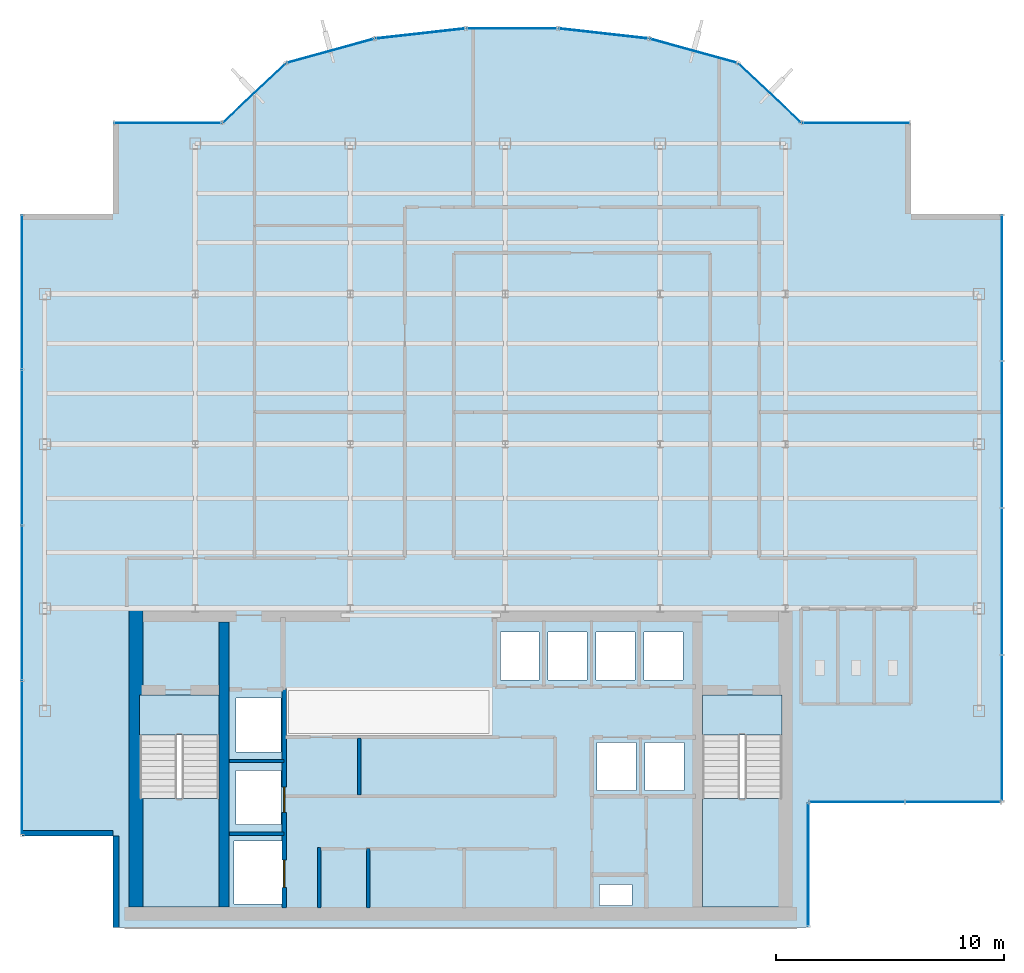
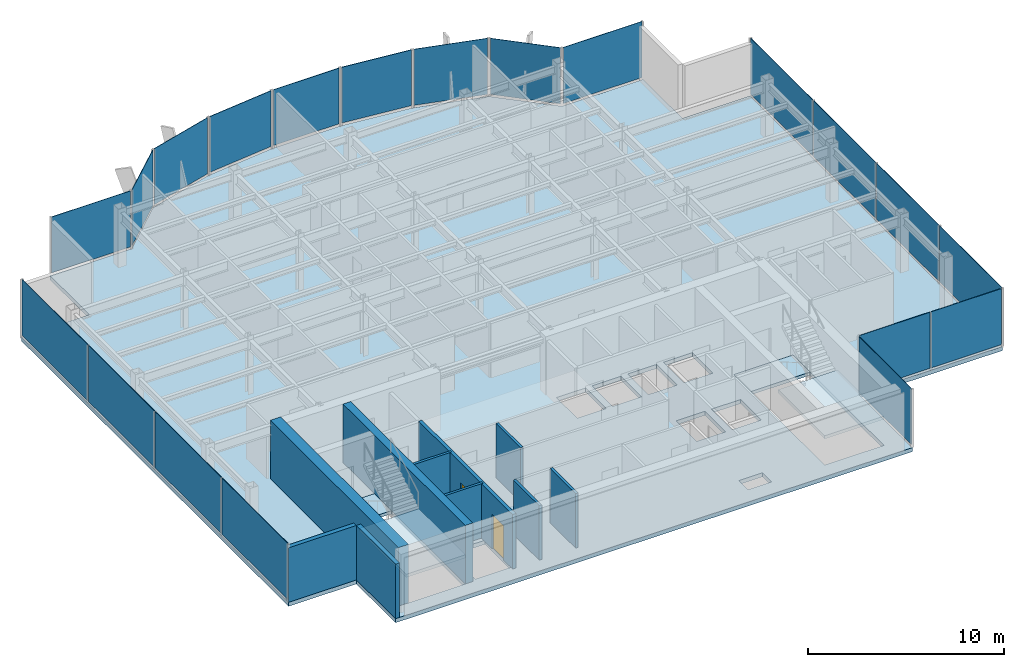
# One storey, part 16 of 22: 20 plates, 10 walls, 5 slabs, 2 doors, 2 openings, 15 elements without a shape of their own.
"""IFC4 building model written with IfcOpenShell, lengths in metres."""

from ifc_helpers import new_model, si_unit, derived_unit, direction, frame, frame_2d, origin, origin_2d, place, context, subcontext, project, spatial, polyline, rectangle, outline, extrude, source, transform, mapped, material, layer, layer_set, type_object, element, fill, aggregate, save


model = new_model("IFC4")

# Units and contexts
model_context = context("Model", 3, precision=1e-05, world=origin(), true_north=direction((0.0, 1.0)))
body_context = subcontext(model_context, "Body", "Model", "MODEL_VIEW")
ifc_project = project(units=[si_unit("LENGTHUNIT", "METRE"), si_unit("AREAUNIT", "SQUARE_METRE"), si_unit("VOLUMEUNIT", "CUBIC_METRE"), si_unit("PLANEANGLEUNIT", "RADIAN"), si_unit("MASSUNIT", "GRAM", prefix="KILO"), derived_unit("THERMALTRANSMITTANCEUNIT", [(si_unit("POWERUNIT", "WATT"), 1), (si_unit("LENGTHUNIT", "METRE"), -2), (si_unit("THERMODYNAMICTEMPERATUREUNIT", "KELVIN"), -1)])], contexts=[model_context])

# Site, building, storey
site_placement = place(None, origin())
site = spatial("IfcSite", under=ifc_project, at=site_placement, CompositionType="ELEMENT")
building_placement = place(site_placement, origin())
building = spatial("IfcBuilding", under=site, at=building_placement, Name="Skarnbrae Concourse Arena and Tower", CompositionType="ELEMENT")
storey_placement = place(building_placement, frame((0.0, 0.0, 269.75)))
storey = spatial("IfcBuildingStorey", under=building, at=storey_placement, Name="L70", CompositionType="ELEMENT", Elevation=269.75)

# Stair, slab
ifc_material_1 = material(Name="Concrete 40 MPa (C40/50)", Category="concrete")
stair_type = type_object("IfcStairType", Name="STAIR-DOGLEG-1650", PredefinedType="HALF_TURN_STAIR", material=ifc_material_1)
stair_1_placement = place(storey_placement, origin())
stair_1 = element("IfcStair", 1, at=stair_1_placement, inside=storey, type_object=stair_type, Name="L70 Protected Exit Stair ST-1", PredefinedType="HALF_TURN_STAIR")
ifc_layer_1 = layer(ifc_material_1, 0.199951171875)
ifc_layer_set_1 = layer_set([ifc_layer_1], Name="Concrete 40 MPa (C40/50)")
slab_type_1 = type_object("IfcSlabType", Name="SLAB-LANDING-200", PredefinedType="LANDING", material=ifc_layer_set_1)
slab_1_placement = place(storey_placement, frame((0.0, 0.0, 1.625)))
slab_1 = element("IfcSlab", 2, at=slab_1_placement, type_object=slab_type_1, Name="ST-1 landing 1", PredefinedType="LANDING", context=body_context, shape_type="SweptSolid", body=[
    extrude(outline(polyline([(5.14990234375, 5.64990234375), (5.14990234375, 0.89990234375), (8.64990234375, 0.89990234375), (8.64990234375, 5.64990234375), (5.14990234375, 5.64990234375)])), origin(), (0.0, 0.0, 1.0), 0.199951171875),
])
aggregate(stair_1, [slab_1])

stair_2_placement = place(storey_placement, origin())
stair_2 = element("IfcStair", 3, at=stair_2_placement, inside=storey, type_object=stair_type, Name="L70 Protected Exit Stair ST-2", PredefinedType="HALF_TURN_STAIR")
slab_2_placement = place(storey_placement, frame((0.0, 0.0, 1.625)))
slab_2 = element("IfcSlab", 4, at=slab_2_placement, type_object=slab_type_1, Name="ST-2 landing 1", PredefinedType="LANDING", context=body_context, shape_type="SweptSolid", body=[
    extrude(outline(polyline([(29.85009765625, 5.64990234375), (29.85009765625, 0.89990234375), (33.35009765625, 0.89990234375), (33.35009765625, 5.64990234375), (29.85009765625, 5.64990234375)])), origin(), (0.0, 0.0, 1.0), 0.199951171875),
])
aggregate(stair_2, [slab_2])

# Slabs
slab_3_placement = place(storey_placement, frame((0.0, 0.0, -0.199951171875)))
element("IfcSlab", 5, at=slab_3_placement, inside=storey, type_object=slab_type_1, Name="L70 Core stair ST1 floor landing", PredefinedType="LANDING", context=body_context, shape_type="SweptSolid", body=[
    extrude(outline(polyline([(5.14990234375, 10.199951171875), (5.14990234375, 8.449951171875), (8.64990234375, 8.449951171875), (8.64990234375, 10.199951171875), (5.14990234375, 10.199951171875)])), origin(), (0.0, 0.0, 1.0), 0.199951171875),
])
slab_4_placement = place(storey_placement, frame((0.0, 0.0, -0.199951171875)))
element("IfcSlab", 6, at=slab_4_placement, inside=storey, type_object=slab_type_1, Name="L70 Core stair ST2 floor landing", PredefinedType="LANDING", context=body_context, shape_type="SweptSolid", body=[
    extrude(outline(polyline([(29.85009765625, 10.199951171875), (29.85009765625, 8.449951171875), (33.35009765625, 8.449951171875), (33.35009765625, 10.199951171875), (29.85009765625, 10.199951171875)])), origin(), (0.0, 0.0, 1.0), 0.199951171875),
])
ifc_layer_2 = layer(ifc_material_1, 0.25)
ifc_layer_set_2 = layer_set([ifc_layer_2], Name="Concrete 40 MPa (C40/50)")
slab_type_2 = type_object("IfcSlabType", Name="SLAB-TOWER-250", PredefinedType="FLOOR", material=ifc_layer_set_2)
slab_5_placement = place(storey_placement, frame((0.0, 0.0, -0.25)))
element("IfcSlab", 7, at=slab_5_placement, inside=storey, type_object=slab_type_2, Name="L70 Structural floor slab", PredefinedType="FLOOR", context=body_context, shape_type="SweptSolid", body=[
    extrude(outline(polyline([(4.0, 0.0), (34.5, 0.0), (34.5, 5.5), (43.0, 5.5), (43.0, 31.300048828125), (39.0, 31.300048828125), (39.0, 35.300048828125), (34.199951171875, 35.300048828125), (31.40966796875, 37.9267578125), (27.52587890625, 38.9970703125), (23.51708984375, 39.44677734375), (19.48291015625, 39.44677734375), (15.47412109375, 38.9970703125), (11.59033203125, 37.9267578125), (8.800048828125, 35.300048828125), (4.0, 35.300048828125), (4.0, 31.300048828125), (0.0, 31.300048828125), (0.0, 4.0), (4.0, 4.0), (4.0, 0.0)]), holes=[polyline([(9.294921875, 1.02001953125), (9.294921875, 3.780029296875), (11.455078125, 3.780029296875), (11.455078125, 1.02001953125), (9.294921875, 1.02001953125)]), polyline([(8.64990234375, 10.199951171875), (8.64990234375, 0.89990234375), (5.14990234375, 0.89990234375), (5.14990234375, 10.199951171875), (8.64990234375, 10.199951171875)]), polyline([(9.39501953125, 6.8798828125), (11.35498046875, 6.8798828125), (11.35498046875, 4.52001953125), (9.39501953125, 4.52001953125), (9.39501953125, 6.8798828125)]), polyline([(9.39501953125, 7.695068359375), (9.39501953125, 10.054931640625), (11.35498046875, 10.054931640625), (11.35498046875, 7.695068359375), (9.39501953125, 7.695068359375)]), polyline([(20.985107421875, 12.955078125), (22.695068359375, 12.955078125), (22.695068359375, 10.844970703125), (20.985107421875, 10.844970703125), (20.985107421875, 12.955078125)]), polyline([(23.0849609375, 12.955078125), (24.794921875, 12.955078125), (24.794921875, 10.844970703125), (23.0849609375, 10.844970703125), (23.0849609375, 12.955078125)]), polyline([(25.35009765625, 0.949951171875), (25.35009765625, 1.889892578125), (26.760009765625, 1.889892578125), (26.760009765625, 0.949951171875), (25.35009765625, 0.949951171875)]), polyline([(33.35009765625, 10.199951171875), (33.35009765625, 0.89990234375), (29.85009765625, 0.89990234375), (29.85009765625, 10.199951171875), (33.35009765625, 10.199951171875)]), polyline([(25.235107421875, 8.10498046875), (26.945068359375, 8.10498046875), (26.945068359375, 5.9951171875), (25.235107421875, 5.9951171875), (25.235107421875, 8.10498046875)]), polyline([(27.3349609375, 5.9951171875), (27.3349609375, 8.10498046875), (29.044921875, 8.10498046875), (29.044921875, 5.9951171875), (27.3349609375, 5.9951171875)]), polyline([(25.18505859375, 12.955078125), (26.89501953125, 12.955078125), (26.89501953125, 10.844970703125), (25.18505859375, 10.844970703125), (25.18505859375, 12.955078125)]), polyline([(27.284912109375, 12.955078125), (28.9951171875, 12.955078125), (28.9951171875, 10.844970703125), (27.284912109375, 10.844970703125), (27.284912109375, 12.955078125)])]), origin(), (0.0, 0.0, 1.0), 0.25),
])

# Curtain wall, plate
ifc_material_2 = material(Name="Bronze anodised aluminium 6063-T6", Category="aluminium")
curtain_wall_type_1 = type_object("IfcCurtainWallType", Name="CW-SYS-05-HIGHZONE", PredefinedType="USERDEFINED", material=ifc_material_2)
curtain_wall_1_placement = place(storey_placement, origin())
curtain_wall_1 = element("IfcCurtainWall", 8, at=curtain_wall_1_placement, inside=storey, type_object=curtain_wall_type_1, Name="L70 Unitised curtain wall CW-L70-E02", ObjectType="UNITISED CURTAIN WALL", PredefinedType="USERDEFINED")
ifc_material_3 = material(Name="Low-E triple insulating glass", Category="glass")
ifc_layer_3 = layer(ifc_material_3, 0.030029296875)
ifc_layer_set_3 = layer_set([ifc_layer_3], Name="Low-E triple insulating glass")
plate_type_1 = type_object("IfcPlateType", Name="CWP-CW-05", PredefinedType="CURTAIN_PANEL", material=ifc_layer_set_3)
shared_shape_1 = source(origin(), body_context, "Body", "SweptSolid", [
    extrude(rectangle(XDim=5.35009765625, YDim=0.030029296875, at=origin_2d()), origin(), (0.0, 0.0, 1.0), 3.5),
])
plate_1_placement = place(storey_placement, frame((34.5, 2.75, 0.14990234375), z_axis=(0.0, 0.0, 1.0), x_axis=(0.0, 1.0, 0.0)))
plate_1 = element("IfcPlate", 9, at=plate_1_placement, type_object=plate_type_1, Name="CW-L70-E02 Low-E Glazing Panel 1", PredefinedType="CURTAIN_PANEL", context=body_context, shape_type="MappedRepresentation", body=[
    mapped(shared_shape_1, transform((0.0, 0.0, 0.0))),
])
aggregate(curtain_wall_1, [plate_1])

# Curtain wall, plates
curtain_wall_2_placement = place(storey_placement, origin())
curtain_wall_2 = element("IfcCurtainWall", 10, at=curtain_wall_2_placement, inside=storey, type_object=curtain_wall_type_1, Name="L70 Unitised curtain wall CW-L70-E03", ObjectType="UNITISED CURTAIN WALL", PredefinedType="USERDEFINED")
shared_shape_2 = source(origin(), body_context, "Body", "SweptSolid", [
    extrude(rectangle(XDim=4.137451171875, YDim=0.030029296875, at=origin_2d()), origin(), (0.0, 0.0, 1.0), 3.5),
])
plate_2_placement = place(storey_placement, frame((36.643798828125, 5.5, 0.14990234375), z_axis=(0.0, 0.0, 1.0), x_axis=(1.0, 0.0, 0.0)))
plate_2 = element("IfcPlate", 11, at=plate_2_placement, type_object=plate_type_1, Name="CW-L70-E03 Low-E Glazing Panel 1", PredefinedType="CURTAIN_PANEL", context=body_context, shape_type="MappedRepresentation", body=[
    mapped(shared_shape_2, transform((0.0, 0.0, 0.0))),
])
plate_3_placement = place(storey_placement, frame((40.856201171875, 5.5, 0.14990234375), z_axis=(0.0, 0.0, 1.0), x_axis=(1.0, 0.0, 0.0)))
plate_3 = element("IfcPlate", 12, at=plate_3_placement, type_object=plate_type_1, Name="CW-L70-E03 Low-E Glazing Panel 2", PredefinedType="CURTAIN_PANEL", context=body_context, shape_type="MappedRepresentation", body=[
    mapped(shared_shape_2, transform((0.0, 0.0, 0.0))),
])
aggregate(curtain_wall_2, [plate_2, plate_3])

# Curtain wall, plate
curtain_wall_3_placement = place(storey_placement, origin())
curtain_wall_3 = element("IfcCurtainWall", 13, at=curtain_wall_3_placement, inside=storey, type_object=curtain_wall_type_1, Name="L70 Unitised curtain wall CW-L70-E07", ObjectType="UNITISED CURTAIN WALL", PredefinedType="USERDEFINED")
shared_shape_3 = source(origin(), body_context, "Body", "SweptSolid", [
    extrude(rectangle(XDim=4.64990234375, YDim=0.030029296875, at=origin_2d()), origin(), (0.0, 0.0, 1.0), 3.5),
])
plate_4_placement = place(storey_placement, frame((36.60009765625, 35.300048828125, 0.14990234375), z_axis=(0.0, 0.0, 1.0), x_axis=(-1.0, 0.0, 0.0)))
plate_4 = element("IfcPlate", 14, at=plate_4_placement, type_object=plate_type_1, Name="CW-L70-E07 Low-E Glazing Panel 1", PredefinedType="CURTAIN_PANEL", context=body_context, shape_type="MappedRepresentation", body=[
    mapped(shared_shape_3, transform((0.0, 0.0, 0.0))),
])
aggregate(curtain_wall_3, [plate_4])

curtain_wall_4_placement = place(storey_placement, origin())
curtain_wall_4 = element("IfcCurtainWall", 15, at=curtain_wall_4_placement, inside=storey, type_object=curtain_wall_type_1, Name="L70 Unitised curtain wall CW-L70-E15", ObjectType="UNITISED CURTAIN WALL", PredefinedType="USERDEFINED")
plate_5_placement = place(storey_placement, frame((6.39990234375, 35.300048828125, 0.14990234375), z_axis=(0.0, 0.0, 1.0), x_axis=(-1.0, 0.0, 0.0)))
plate_5 = element("IfcPlate", 16, at=plate_5_placement, type_object=plate_type_1, Name="CW-L70-E15 Low-E Glazing Panel 1", PredefinedType="CURTAIN_PANEL", context=body_context, shape_type="MappedRepresentation", body=[
    mapped(shared_shape_3, transform((0.0, 0.0, 0.0))),
])
aggregate(curtain_wall_4, [plate_5])

curtain_wall_5_placement = place(storey_placement, origin())
curtain_wall_5 = element("IfcCurtainWall", 17, at=curtain_wall_5_placement, inside=storey, type_object=curtain_wall_type_1, Name="L70 Unitised curtain wall CW-L70-E08", ObjectType="UNITISED CURTAIN WALL", PredefinedType="USERDEFINED")
shared_shape_4 = source(origin(), body_context, "Body", "SweptSolid", [
    extrude(rectangle(XDim=3.68212890625, YDim=0.030029296875, at=origin_2d()), origin(), (0.0, 0.0, 1.0), 3.5),
])
plate_6_placement = place(storey_placement, frame((32.804931640625, 36.61328125, 0.14990234375), z_axis=(0.0, 0.0, 1.0), x_axis=(-0.728130555214, 0.685438468838, 0.0)))
plate_6 = element("IfcPlate", 18, at=plate_6_placement, type_object=plate_type_1, Name="CW-L70-E08 Low-E Glazing Panel 1", PredefinedType="CURTAIN_PANEL", context=body_context, shape_type="MappedRepresentation", body=[
    mapped(shared_shape_4, transform((0.0, 0.0, 0.0))),
])
aggregate(curtain_wall_5, [plate_6])

curtain_wall_6_placement = place(storey_placement, origin())
curtain_wall_6 = element("IfcCurtainWall", 19, at=curtain_wall_6_placement, inside=storey, type_object=curtain_wall_type_1, Name="L70 Unitised curtain wall CW-L70-E14", ObjectType="UNITISED CURTAIN WALL", PredefinedType="USERDEFINED")
plate_7_placement = place(storey_placement, frame((10.195068359375, 36.61328125, 0.14990234375), z_axis=(0.0, 0.0, 1.0), x_axis=(-0.728130555214, -0.685438468838, 0.0)))
plate_7 = element("IfcPlate", 20, at=plate_7_placement, type_object=plate_type_1, Name="CW-L70-E14 Low-E Glazing Panel 1", PredefinedType="CURTAIN_PANEL", context=body_context, shape_type="MappedRepresentation", body=[
    mapped(shared_shape_4, transform((0.0, 0.0, 0.0))),
])
aggregate(curtain_wall_6, [plate_7])

curtain_wall_7_placement = place(storey_placement, origin())
curtain_wall_7 = element("IfcCurtainWall", 21, at=curtain_wall_7_placement, inside=storey, type_object=curtain_wall_type_1, Name="L70 Unitised curtain wall CW-L70-E09", ObjectType="UNITISED CURTAIN WALL", PredefinedType="USERDEFINED")
shared_shape_5 = source(origin(), body_context, "Body", "SweptSolid", [
    extrude(rectangle(XDim=3.878662109375, YDim=0.030029296875, at=origin_2d()), origin(), (0.0, 0.0, 1.0), 3.5),
])
plate_8_placement = place(storey_placement, frame((29.4677734375, 38.4619140625, 0.14990234375), z_axis=(0.0, 0.0, 1.0), x_axis=(-0.964057388766, 0.265694093207, 0.0)))
plate_8 = element("IfcPlate", 22, at=plate_8_placement, type_object=plate_type_1, Name="CW-L70-E09 Low-E Glazing Panel 1", PredefinedType="CURTAIN_PANEL", context=body_context, shape_type="MappedRepresentation", body=[
    mapped(shared_shape_5, transform((0.0, 0.0, 0.0))),
])
aggregate(curtain_wall_7, [plate_8])

curtain_wall_8_placement = place(storey_placement, origin())
curtain_wall_8 = element("IfcCurtainWall", 23, at=curtain_wall_8_placement, inside=storey, type_object=curtain_wall_type_1, Name="L70 Unitised curtain wall CW-L70-E13", ObjectType="UNITISED CURTAIN WALL", PredefinedType="USERDEFINED")
plate_9_placement = place(storey_placement, frame((13.5322265625, 38.4619140625, 0.14990234375), z_axis=(0.0, 0.0, 1.0), x_axis=(-0.964057388766, -0.265694093207, 0.0)))
plate_9 = element("IfcPlate", 24, at=plate_9_placement, type_object=plate_type_1, Name="CW-L70-E13 Low-E Glazing Panel 1", PredefinedType="CURTAIN_PANEL", context=body_context, shape_type="MappedRepresentation", body=[
    mapped(shared_shape_5, transform((0.0, 0.0, 0.0))),
])
aggregate(curtain_wall_8, [plate_9])

# Curtain wall, plates
curtain_wall_9_placement = place(storey_placement, origin())
curtain_wall_9 = element("IfcCurtainWall", 25, at=curtain_wall_9_placement, inside=storey, type_object=curtain_wall_type_1, Name="L70 Unitised curtain wall CW-L70-E18", ObjectType="UNITISED CURTAIN WALL", PredefinedType="USERDEFINED")
shared_shape_6 = source(origin(), body_context, "Body", "SweptSolid", [
    extrude(rectangle(XDim=6.71240234375, YDim=0.030029296875, at=origin_2d()), origin(), (0.0, 0.0, 1.0), 3.5),
])
plate_10_placement = place(storey_placement, frame((0.0, 27.86865234375, 0.14990234375), z_axis=(0.0, 0.0, 1.0), x_axis=(0.0, -1.0, 0.0)))
plate_10 = element("IfcPlate", 26, at=plate_10_placement, type_object=plate_type_1, Name="CW-L70-E18 Low-E Glazing Panel 1", PredefinedType="CURTAIN_PANEL", context=body_context, shape_type="MappedRepresentation", body=[
    mapped(shared_shape_6, transform((0.0, 0.0, 0.0))),
])
plate_11_placement = place(storey_placement, frame((0.0, 7.431396484375, 0.14990234375), z_axis=(0.0, 0.0, 1.0), x_axis=(0.0, -1.0, 0.0)))
plate_11 = element("IfcPlate", 27, at=plate_11_placement, type_object=plate_type_1, Name="CW-L70-E18 Low-E Glazing Panel 4", PredefinedType="CURTAIN_PANEL", context=body_context, shape_type="MappedRepresentation", body=[
    mapped(shared_shape_6, transform((0.0, 0.0, 0.0))),
])
shared_shape_7 = source(origin(), body_context, "Body", "SweptSolid", [
    extrude(rectangle(XDim=6.75, YDim=0.030029296875, at=origin_2d()), origin(), (0.0, 0.0, 1.0), 3.5),
])
plate_12_placement = place(storey_placement, frame((0.0, 21.0625, 0.14990234375), z_axis=(0.0, 0.0, 1.0), x_axis=(0.0, -1.0, 0.0)))
plate_12 = element("IfcPlate", 28, at=plate_12_placement, type_object=plate_type_1, Name="CW-L70-E18 Low-E Glazing Panel 2", PredefinedType="CURTAIN_PANEL", context=body_context, shape_type="MappedRepresentation", body=[
    mapped(shared_shape_7, transform((0.0, 0.0, 0.0))),
])
plate_13_placement = place(storey_placement, frame((0.0, 14.237548828125, 0.14990234375), z_axis=(0.0, 0.0, 1.0), x_axis=(0.0, -1.0, 0.0)))
plate_13 = element("IfcPlate", 29, at=plate_13_placement, type_object=plate_type_1, Name="CW-L70-E18 Low-E Glazing Panel 3", PredefinedType="CURTAIN_PANEL", context=body_context, shape_type="MappedRepresentation", body=[
    mapped(shared_shape_7, transform((0.0, 0.0, 0.0))),
])
aggregate(curtain_wall_9, [plate_10, plate_12, plate_13, plate_11])

curtain_wall_10_placement = place(storey_placement, origin())
curtain_wall_10 = element("IfcCurtainWall", 30, at=curtain_wall_10_placement, inside=storey, type_object=curtain_wall_type_1, Name="L70 Unitised curtain wall CW-L70-E04", ObjectType="UNITISED CURTAIN WALL", PredefinedType="USERDEFINED")
shared_shape_8 = source(origin(), body_context, "Body", "SweptSolid", [
    extrude(rectangle(XDim=6.33740234375, YDim=0.030029296875, at=origin_2d()), origin(), (0.0, 0.0, 1.0), 3.5),
])
plate_14_placement = place(storey_placement, frame((43.0, 8.743896484375, 0.14990234375), z_axis=(0.0, 0.0, 1.0), x_axis=(0.0, 1.0, 0.0)))
plate_14 = element("IfcPlate", 31, at=plate_14_placement, type_object=plate_type_1, Name="CW-L70-E04 Low-E Glazing Panel 1", PredefinedType="CURTAIN_PANEL", context=body_context, shape_type="MappedRepresentation", body=[
    mapped(shared_shape_8, transform((0.0, 0.0, 0.0))),
])
plate_15_placement = place(storey_placement, frame((43.0, 28.05615234375, 0.14990234375), z_axis=(0.0, 0.0, 1.0), x_axis=(0.0, 1.0, 0.0)))
plate_15 = element("IfcPlate", 32, at=plate_15_placement, type_object=plate_type_1, Name="CW-L70-E04 Low-E Glazing Panel 4", PredefinedType="CURTAIN_PANEL", context=body_context, shape_type="MappedRepresentation", body=[
    mapped(shared_shape_8, transform((0.0, 0.0, 0.0))),
])
shared_shape_9 = source(origin(), body_context, "Body", "SweptSolid", [
    extrude(rectangle(XDim=6.375, YDim=0.030029296875, at=origin_2d()), origin(), (0.0, 0.0, 1.0), 3.5),
])
plate_16_placement = place(storey_placement, frame((43.0, 15.175048828125, 0.14990234375), z_axis=(0.0, 0.0, 1.0), x_axis=(0.0, 1.0, 0.0)))
plate_16 = element("IfcPlate", 33, at=plate_16_placement, type_object=plate_type_1, Name="CW-L70-E04 Low-E Glazing Panel 2", PredefinedType="CURTAIN_PANEL", context=body_context, shape_type="MappedRepresentation", body=[
    mapped(shared_shape_9, transform((0.0, 0.0, 0.0))),
])
plate_17_placement = place(storey_placement, frame((43.0, 21.625, 0.14990234375), z_axis=(0.0, 0.0, 1.0), x_axis=(0.0, 1.0, 0.0)))
plate_17 = element("IfcPlate", 34, at=plate_17_placement, type_object=plate_type_1, Name="CW-L70-E04 Low-E Glazing Panel 3", PredefinedType="CURTAIN_PANEL", context=body_context, shape_type="MappedRepresentation", body=[
    mapped(shared_shape_9, transform((0.0, 0.0, 0.0))),
])
aggregate(curtain_wall_10, [plate_14, plate_16, plate_17, plate_15])

# Curtain wall, plate
curtain_wall_type_2 = type_object("IfcCurtainWallType", Name="CW-SYS-03-PORTAL", PredefinedType="USERDEFINED", material=ifc_material_2)
curtain_wall_11_placement = place(storey_placement, origin())
curtain_wall_11 = element("IfcCurtainWall", 35, at=curtain_wall_11_placement, inside=storey, type_object=curtain_wall_type_2, Name="L70 Unitised curtain wall CW-L70-E10", ObjectType="UNITISED CURTAIN WALL", PredefinedType="USERDEFINED")
ifc_layer_4 = layer(ifc_material_3, 0.033935546875)
ifc_layer_set_4 = layer_set([ifc_layer_4], Name="Low-E triple insulating glass")
plate_type_2 = type_object("IfcPlateType", Name="CWP-CW-03", PredefinedType="CURTAIN_PANEL", material=ifc_layer_set_4)
shared_shape_10 = source(origin(), body_context, "Body", "SweptSolid", [
    extrude(rectangle(XDim=3.873779296875, YDim=0.033935546875, at=origin_2d()), origin(), (0.0, 0.0, 1.0), 3.47998046875),
])
plate_18_placement = place(storey_placement, frame((25.521484375, 39.221923828125, 0.169921875), z_axis=(0.0, 0.0, 1.0), x_axis=(-0.993768891873, 0.111460259941, 0.0)))
plate_18 = element("IfcPlate", 36, at=plate_18_placement, type_object=plate_type_2, Name="CW-L70-E10 Low-E Glazing Panel 1", PredefinedType="CURTAIN_PANEL", context=body_context, shape_type="MappedRepresentation", body=[
    mapped(shared_shape_10, transform((0.0, 0.0, 0.0))),
])
aggregate(curtain_wall_11, [plate_18])

curtain_wall_12_placement = place(storey_placement, origin())
curtain_wall_12 = element("IfcCurtainWall", 37, at=curtain_wall_12_placement, inside=storey, type_object=curtain_wall_type_2, Name="L70 Unitised curtain wall CW-L70-E12", ObjectType="UNITISED CURTAIN WALL", PredefinedType="USERDEFINED")
plate_19_placement = place(storey_placement, frame((17.478515625, 39.221923828125, 0.169921875), z_axis=(0.0, 0.0, 1.0), x_axis=(-0.993768891873, -0.111460259941, 0.0)))
plate_19 = element("IfcPlate", 38, at=plate_19_placement, type_object=plate_type_2, Name="CW-L70-E12 Low-E Glazing Panel 1", PredefinedType="CURTAIN_PANEL", context=body_context, shape_type="MappedRepresentation", body=[
    mapped(shared_shape_10, transform((0.0, 0.0, 0.0))),
])
aggregate(curtain_wall_12, [plate_19])

curtain_wall_13_placement = place(storey_placement, origin())
curtain_wall_13 = element("IfcCurtainWall", 39, at=curtain_wall_13_placement, inside=storey, type_object=curtain_wall_type_2, Name="L70 Unitised curtain wall CW-L70-E11", ObjectType="UNITISED CURTAIN WALL", PredefinedType="USERDEFINED")
shared_shape_11 = source(origin(), body_context, "Body", "SweptSolid", [
    extrude(rectangle(XDim=3.87451171875, YDim=0.033935546875, at=origin_2d()), origin(), (0.0, 0.0, 1.0), 3.47998046875),
])
plate_20_placement = place(storey_placement, frame((21.5, 39.44677734375, 0.169921875), z_axis=(0.0, 0.0, 1.0), x_axis=(-1.0, 0.0, 0.0)))
plate_20 = element("IfcPlate", 40, at=plate_20_placement, type_object=plate_type_2, Name="CW-L70-E11 Low-E Glazing Panel 1", PredefinedType="CURTAIN_PANEL", context=body_context, shape_type="MappedRepresentation", body=[
    mapped(shared_shape_11, transform((0.0, 0.0, 0.0))),
])
aggregate(curtain_wall_13, [plate_20])

# Walls
ifc_material_4 = material(Name="Concrete 50 MPa (C50/60)", Category="concrete")
ifc_layer_5 = layer(ifc_material_4, 0.60009765625)
ifc_layer_set_5 = layer_set([ifc_layer_5], Name="Concrete 50 MPa (C50/60)")
wall_type_1 = type_object("IfcWallType", Name="WALL-CORE-600-C50", PredefinedType="SHEAR", material=ifc_layer_set_5)
shared_shape_12 = source(origin(), body_context, "Body", "SweptSolid", [
    extrude(rectangle(XDim=13.10009765625, YDim=0.60009765625, at=frame_2d((6.550048828125, 0.0))), origin(), (0.0, 0.0, 1.0), 3.64990234375),
])
wall_1_placement = place(storey_placement, frame((5.0, 0.89990234375, 0.0), z_axis=(0.0, 0.0, 1.0), x_axis=(0.0, 1.0, 0.0)))
element("IfcWall", 41, at=wall_1_placement, inside=storey, type_object=wall_type_1, Name="L70 Rear core shear wall CW-W", PredefinedType="SHEAR", context=body_context, shape_type="MappedRepresentation", body=[
    mapped(shared_shape_12, transform((0.0, 0.0, 0.0))),
])
ifc_layer_6 = layer(ifc_material_4, 0.449951171875)
ifc_layer_set_6 = layer_set([ifc_layer_6], Name="Concrete 50 MPa (C50/60)")
wall_type_2 = type_object("IfcWallType", Name="WALL-CORE-450-C50", PredefinedType="SHEAR", material=ifc_layer_set_6)
shared_shape_13 = source(origin(), body_context, "Body", "SweptSolid", [
    extrude(rectangle(XDim=12.5, YDim=0.449951171875, at=frame_2d((6.25, 0.0))), origin(), (0.0, 0.0, 1.0), 3.64990234375),
])
wall_2_placement = place(storey_placement, frame((8.864990234375, 0.89990234375, 0.0), z_axis=(0.0, 0.0, 1.0), x_axis=(0.0, 1.0, 0.0)))
element("IfcWall", 42, at=wall_2_placement, inside=storey, type_object=wall_type_2, Name="L70 Rear core shear wall CW-WEB-W", PredefinedType="SHEAR", context=body_context, shape_type="MappedRepresentation", body=[
    mapped(shared_shape_13, transform((0.0, 0.0, 0.0))),
])
ifc_material_5 = material(Name="Precast concrete 40 MPa (C40/50)", Category="concrete")
ifc_layer_7 = layer(ifc_material_5, 0.25)
ifc_layer_set_7 = layer_set([ifc_layer_7], Name="Precast concrete 40 MPa (C40/50)")
wall_type_3 = type_object("IfcWallType", Name="WALL-EXT-SPANDREL-250", PredefinedType="STANDARD", material=ifc_layer_set_7)
shared_shape_14 = source(origin(), body_context, "Body", "SweptSolid", [
    extrude(rectangle(XDim=4.0, YDim=0.25, at=frame_2d((2.0, 0.0))), origin(), (0.0, 0.0, 1.0), 3.39990234375),
])
for number, where, z_axis, x_axis, name in (
    (43, (0.0, 4.125, 0.0), (0.0, 0.0, 1.0), (1.0, 0.0, 0.0), "L70 Notched corner insulated return wall 19"),
    (44, (4.125, 4.0, 0.0), (0.0, 0.0, 1.0), (0.0, -1.0, 0.0), "L70 Notched corner insulated return wall 20"),
):
    element("IfcWall", number, at=place(storey_placement, frame(where, z_axis=z_axis, x_axis=x_axis)), inside=storey, type_object=wall_type_3, Name=name, PredefinedType="STANDARD", context=body_context, shape_type="MappedRepresentation", body=[
        mapped(shared_shape_14, transform((0.0, 0.0, 0.0))),
    ])

# Wall, openings, doors
ifc_material_6 = material(Name="Gypsum board on cold-formed steel studs", Category="steel")
ifc_layer_8 = layer(ifc_material_6, 0.199951171875)
ifc_layer_set_8 = layer_set([ifc_layer_8], Name="Gypsum board on cold-formed steel studs")
wall_type_4 = type_object("IfcWallType", Name="WALL-PART-200-2HR", PredefinedType="PARTITIONING", material=ifc_layer_set_8)
shared_shape_15 = source(origin(), body_context, "Body", "SweptSolid", [
    extrude(rectangle(XDim=9.599853515625, YDim=0.199951171875, at=frame_2d((4.7998046875, 0.0))), origin(), (0.0, 0.0, 1.0), 3.39990234375),
])
wall_3_placement = place(storey_placement, frame((11.5, 0.85009765625, 0.0), z_axis=(0.0, 0.0, 1.0), x_axis=(0.0, 1.0, 0.0)))
wall_3 = element("IfcWall", 45, at=wall_3_placement, inside=storey, type_object=wall_type_4, Name="L70 Interior partition wall W-L70-FL-E", PredefinedType="PARTITIONING", context=body_context, shape_type="MappedRepresentation", body=[
    mapped(shared_shape_15, transform((0.0, 0.0, 0.0))),
])
opening_1_placement = place(wall_3_placement, frame((4.199951171875, 0.0, 0.0)))
opening_1 = element("IfcOpeningElement", 46, at=opening_1_placement, cuts=wall_3, Name="Opening LD-01", PredefinedType="OPENING", context=body_context, shape_type="SweptSolid", body=[
    extrude(rectangle(XDim=1.10009765625, YDim=2.14990234375, at=frame_2d((0.550048828125, 1.074951171875))), frame((0.0, 0.10986328125, 0.0), z_axis=(0.0, -1.0, 0.0), x_axis=(1.0, 0.0, 0.0)), (0.0, 0.0, 1.0), 0.219970703125),
])
opening_2_placement = place(wall_3_placement, frame((0.89990234375, 0.0, 0.0)))
opening_2 = element("IfcOpeningElement", 47, at=opening_2_placement, cuts=wall_3, Name="Opening LD-02", PredefinedType="OPENING", context=body_context, shape_type="SweptSolid", body=[
    extrude(rectangle(XDim=1.199951171875, YDim=2.14990234375, at=frame_2d((0.60009765625, 1.074951171875))), frame((0.0, 0.10986328125, 0.0), z_axis=(0.0, -1.0, 0.0), x_axis=(1.0, 0.0, 0.0)), (0.0, 0.0, 1.0), 0.219970703125),
])
ifc_material_7 = material(Name="Steel CSA G40.21 350W", Category="steel")
door_type_1 = type_object("IfcDoorType", Name="DOOR-LIFT-SLIDE-1100", OperationType="SLIDING_TO_LEFT", PredefinedType="DOOR", material=ifc_material_7)
shared_shape_16 = source(origin(), body_context, "Body", "SweptSolid", [
    extrude(rectangle(XDim=1.10009765625, YDim=2.14990234375, at=frame_2d((0.550048828125, 1.074951171875))), frame((0.0, 0.02490234375, 0.0), z_axis=(0.0, -1.0, 0.0), x_axis=(1.0, 0.0, 0.0)), (0.0, 0.0, 1.0), 0.050048828125),
])
door_1_placement = place(opening_1_placement, frame((1.10009765625, 0.0, 0.0), z_axis=(0.0, 0.0, 1.0), x_axis=(-1.0, 0.0, 0.0)))
door_1 = element("IfcDoor", 48, at=door_1_placement, inside=storey, type_object=door_type_1, Name="D-2111 Firefighting Lift Landing Door FL-02", OperationType="SLIDING_TO_LEFT", OverallHeight=2.14990234375, OverallWidth=1.10009765625, PredefinedType="DOOR", context=body_context, shape_type="MappedRepresentation", body=[
    mapped(shared_shape_16, transform((0.0, 0.0, 0.0))),
])
fill(opening_1, door_1)
door_type_2 = type_object("IfcDoorType", Name="DOOR-LIFT-SLIDE-1200", OperationType="SLIDING_TO_LEFT", PredefinedType="DOOR", material=ifc_material_7)
shared_shape_17 = source(origin(), body_context, "Body", "SweptSolid", [
    extrude(rectangle(XDim=1.199951171875, YDim=2.14990234375, at=frame_2d((0.60009765625, 1.074951171875))), frame((0.0, 0.02490234375, 0.0), z_axis=(0.0, -1.0, 0.0), x_axis=(1.0, 0.0, 0.0)), (0.0, 0.0, 1.0), 0.050048828125),
])
door_2_placement = place(opening_2_placement, frame((1.199951171875, 0.0, 0.0), z_axis=(0.0, 0.0, 1.0), x_axis=(-1.0, 0.0, 0.0)))
door_2 = element("IfcDoor", 49, at=door_2_placement, inside=storey, type_object=door_type_2, Name="D-2112 Service Lift Landing Door SV-01", OperationType="SLIDING_TO_LEFT", OverallHeight=2.14990234375, OverallWidth=1.199951171875, PredefinedType="DOOR", context=body_context, shape_type="MappedRepresentation", body=[
    mapped(shared_shape_17, transform((0.0, 0.0, 0.0))),
])
fill(opening_2, door_2)

# Walls
ifc_layer_9 = layer(ifc_material_6, 0.14990234375)
ifc_layer_set_9 = layer_set([ifc_layer_9], Name="Gypsum board on cold-formed steel studs")
wall_type_5 = type_object("IfcWallType", Name="WALL-PART-150", PredefinedType="PARTITIONING", material=ifc_layer_set_9)
shared_shape_18 = source(origin(), body_context, "Body", "SweptSolid", [
    extrude(rectangle(XDim=2.39990234375, YDim=0.14990234375, at=frame_2d((1.199951171875, 0.0))), origin(), (0.0, 0.0, 1.0), 3.39990234375),
])
for number, where, z_axis, x_axis, name in (
    (50, (9.10009765625, 4.10009765625, 0.0), (0.0, 0.0, 1.0), (1.0, 0.0, 0.0), "L70 Interior partition wall W-L70-FL-D1"),
    (51, (9.10009765625, 7.300048828125, 0.0), (0.0, 0.0, 1.0), (1.0, 0.0, 0.0), "L70 Interior partition wall W-L70-FL-D2"),
):
    element("IfcWall", number, at=place(storey_placement, frame(where, z_axis=z_axis, x_axis=x_axis)), inside=storey, type_object=wall_type_5, Name=name, PredefinedType="PARTITIONING", context=body_context, shape_type="MappedRepresentation", body=[
        mapped(shared_shape_18, transform((0.0, 0.0, 0.0))),
    ])
shared_shape_19 = source(origin(), body_context, "Body", "SweptSolid", [
    extrude(rectangle(XDim=2.599853515625, YDim=0.14990234375, at=frame_2d((1.2998046875, 0.0))), origin(), (0.0, 0.0, 1.0), 3.39990234375),
])
wall_4_placement = place(storey_placement, frame((15.199951171875, 0.85009765625, 0.0), z_axis=(0.0, 0.0, 1.0), x_axis=(0.0, 1.0, 0.0)))
element("IfcWall", 52, at=wall_4_placement, inside=storey, type_object=wall_type_5, Name="L70 Interior partition wall W-L70-B1M-C1", PredefinedType="PARTITIONING", context=body_context, shape_type="MappedRepresentation", body=[
    mapped(shared_shape_19, transform((0.0, 0.0, 0.0))),
])
shared_shape_20 = source(origin(), body_context, "Body", "SweptSolid", [
    extrude(rectangle(XDim=2.5, YDim=0.14990234375, at=frame_2d((1.25, 0.0))), origin(), (0.0, 0.0, 1.0), 3.39990234375),
])
wall_5_placement = place(storey_placement, frame((14.800048828125, 5.800048828125, 0.0), z_axis=(0.0, 0.0, 1.0), x_axis=(0.0, 1.0, 0.0)))
element("IfcWall", 53, at=wall_5_placement, inside=storey, type_object=wall_type_5, Name="L70 Interior partition wall W-L70-B2M-MID", PredefinedType="PARTITIONING", context=body_context, shape_type="MappedRepresentation", body=[
    mapped(shared_shape_20, transform((0.0, 0.0, 0.0))),
])
ifc_layer_10 = layer(ifc_material_6, 0.14990234375)
ifc_layer_set_10 = layer_set([ifc_layer_10], Name="Gypsum board on cold-formed steel studs")
wall_type_6 = type_object("IfcWallType", Name="WALL-PART-150-1HR", PredefinedType="PARTITIONING", material=ifc_layer_set_10)
shared_shape_21 = source(origin(), body_context, "Body", "SweptSolid", [
    extrude(rectangle(XDim=2.64990234375, YDim=0.14990234375, at=frame_2d((1.324951171875, 0.0))), origin(), (0.0, 0.0, 1.0), 3.39990234375),
])
wall_6_placement = place(storey_placement, frame((13.050048828125, 0.85009765625, 0.0), z_axis=(0.0, 0.0, 1.0), x_axis=(0.0, 1.0, 0.0)))
element("IfcWall", 54, at=wall_6_placement, inside=storey, type_object=wall_type_6, Name="L70 Interior partition wall W-L70-B1M-W", PredefinedType="PARTITIONING", context=body_context, shape_type="MappedRepresentation", body=[
    mapped(shared_shape_21, transform((0.0, 0.0, 0.0))),
])

save(model, "model.ifc")
